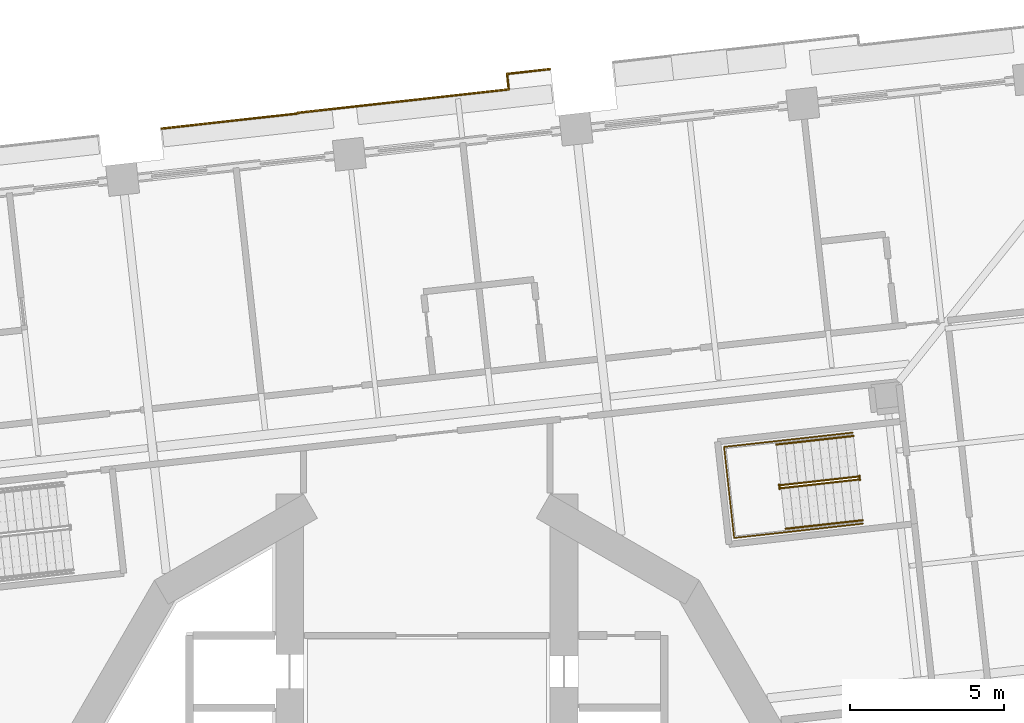
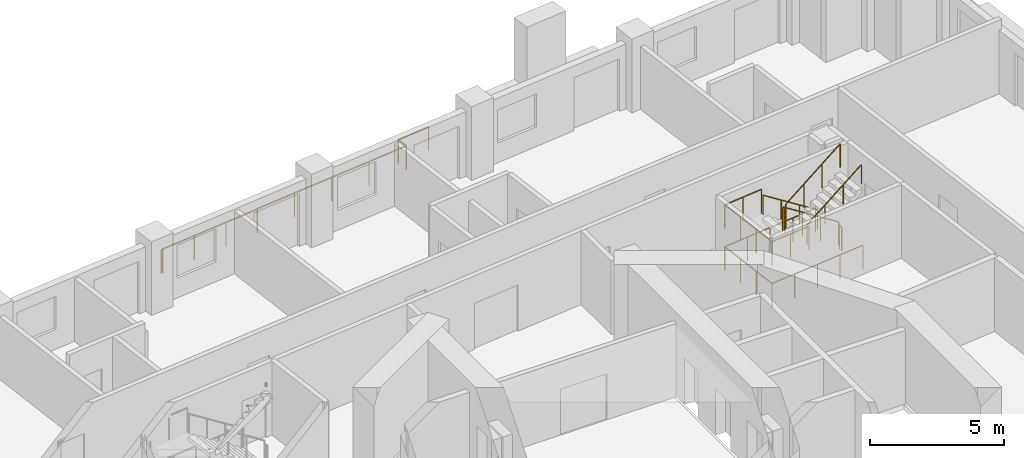
# One storey, part 19 of 21: 8 railings.
"""IFC4 building model written with IfcOpenShell, lengths in metres."""

import ifcopenshell
import ifcopenshell.guid

model = None  # the IFC model being written
_history = None  # IfcOwnerHistory: only IFC2X3 demands one
_inside = {}  # id of a spatial element -> (the spatial element, [elements in it])
_under = {}  # id of a project, library or spatial element -> (it, [spatial elements below it])
_declared = {}  # id of a project -> (the project, [libraries it declares])
_typed = {}  # id of a type object -> (the type object, [elements of that type])
_made_of = {}  # id of a material, layer set ... -> (it, [elements and type objects made of it])


def new_model(schema):
    """Start an empty IFC model of exactly this schema.

    Asked for "IFC4X3", IfcOpenShell would pick the latest addendum, in which some entities
    have other attributes; the version numbers below select the first issue.
    IFC2X3 requires an IfcOwnerHistory on every rooted entity: one is made here for all.
    """
    global model, _history
    if schema == "IFC4X3":
        model = ifcopenshell.file(schema_version=(4, 3, 0, 0))
    else:
        model = ifcopenshell.file(schema=schema)
    _inside.clear()
    _under.clear()
    _declared.clear()
    _typed.clear()
    _made_of.clear()
    _history = None
    if model.schema == "IFC2X3":
        org = make("IfcOrganization", Name="unknown")
        user = make(
            "IfcPersonAndOrganization",
            ThePerson=make("IfcPerson", FamilyName="unknown"),
            TheOrganization=org,
        )
        app = make(
            "IfcApplication",
            ApplicationDeveloper=org,
            Version="unknown",
            ApplicationFullName="unknown",
            ApplicationIdentifier="unknown",
        )
        _history = make(
            "IfcOwnerHistory",
            OwningUser=user,
            OwningApplication=app,
            ChangeAction="ADDED",
            CreationDate=0,
        )
    return model


def make(cls, **values):
    """One entity of the class cls with the attributes given. An attribute that is None is left unset."""
    return model.create_entity(
        cls, **{name: value for name, value in values.items() if value is not None}
    )


def rooted(cls, **values):
    """An entity with a GlobalId (a new one), such as an element, a storey or a relation."""
    return make(cls, GlobalId=ifcopenshell.guid.new(), OwnerHistory=_history, **values)


def si_unit(unit_type, name, prefix=None):
    """IfcSIUnit, for example si_unit("LENGTHUNIT", "METRE", prefix="MILLI")."""
    return make("IfcSIUnit", UnitType=unit_type, Prefix=prefix, Name=name)


def assignment(units):
    """IfcUnitAssignment: the units of a project."""
    return None if units is None else make("IfcUnitAssignment", Units=units)


def point(xyz):
    """IfcCartesianPoint."""
    return None if xyz is None else make("IfcCartesianPoint", Coordinates=xyz)


def direction(xyz):
    """IfcDirection."""
    return None if xyz is None else make("IfcDirection", DirectionRatios=xyz)


def frame(location, z_axis=None, x_axis=None):
    """IfcAxis2Placement3D, a coordinate frame: its origin and axes. An axis left out is left unset."""
    return make(
        "IfcAxis2Placement3D",
        Location=point(location),
        Axis=direction(z_axis),
        RefDirection=direction(x_axis),
    )


def frame_2d(location, x_axis=None):
    """IfcAxis2Placement2D, a coordinate frame in the plane: its origin and x axis."""
    return make(
        "IfcAxis2Placement2D", Location=point(location), RefDirection=direction(x_axis)
    )


def origin():
    """The frame at (0, 0, 0) with its axes left unset."""
    return frame((0.0, 0.0, 0.0))


def origin_2d():
    """The frame at (0, 0) in the plane with its x axis left unset."""
    return frame_2d((0.0, 0.0))


def place(relative_to, where):
    """IfcLocalPlacement: puts the frame where relative to a parent placement (None: the world)."""
    return make(
        "IfcLocalPlacement", PlacementRelTo=relative_to, RelativePlacement=where
    )


def context(
    kind, dimensions, precision=None, world=None, true_north=None, identifier=None
):
    """IfcGeometricRepresentationContext, for example the 3D "Model" context."""
    return make(
        "IfcGeometricRepresentationContext",
        ContextIdentifier=identifier,
        ContextType=kind,
        CoordinateSpaceDimension=dimensions,
        Precision=precision,
        WorldCoordinateSystem=world,
        TrueNorth=true_north,
    )


def subcontext(parent, identifier, kind, view, scale=None):
    """IfcGeometricRepresentationSubContext, for example "Body" below "Model"."""
    return make(
        "IfcGeometricRepresentationSubContext",
        ContextIdentifier=identifier,
        ContextType=kind,
        ParentContext=parent,
        TargetScale=scale,
        TargetView=view,
    )


def project(units=None, contexts=None):
    """IfcProject with its units and contexts."""
    return rooted(
        "IfcProject",
        Name="project",
        RepresentationContexts=contexts,
        UnitsInContext=assignment(units),
    )


def spatial(cls, under=None, at=None, **own):
    """A site, building, storey or space (cls), placed at a placement, below another one or the project."""
    s = rooted(cls, ObjectPlacement=at, **own)
    if under is not None:
        _under.setdefault(under.id(), (under, []))[1].append(s)
    return s


def profile(cls, at=None, kind="AREA", **sizes):
    """A parametric profile (cls). Its sizes go by their IFC names, for example OverallWidth=200.0."""
    return make(cls, ProfileType=kind, Position=at, **sizes)


def circle(**sizes):
    """IfcCircleProfileDef."""
    return profile("IfcCircleProfileDef", **sizes)


def extrude(swept, where, along, depth):
    """IfcExtrudedAreaSolid: the profile swept, set in the frame where, extruded along a direction by depth."""
    return make(
        "IfcExtrudedAreaSolid",
        SweptArea=swept,
        Position=where,
        ExtrudedDirection=direction(along),
        Depth=depth,
    )


def shape(context_of_items, identifier, shape_type, items):
    """IfcShapeRepresentation: the items that make up one representation, for example the "Body"."""
    return make(
        "IfcShapeRepresentation",
        ContextOfItems=context_of_items,
        RepresentationIdentifier=identifier,
        RepresentationType=shape_type,
        Items=items,
    )


def material(Name=None, Category=None):
    """IfcMaterial."""
    return make("IfcMaterial", Name=Name, Category=Category)


def made_of(thing, what):
    """Note that an element or type object is made of a material, layer set ...; save() writes the relation."""
    if what is not None:
        _made_of.setdefault(what.id(), (what, []))[1].append(thing)
    return thing


def type_object(cls, material=None, **own):
    """A type object (cls), such as IfcWallType, which elements share."""
    return made_of(rooted(cls, **own), material)


def element(
    cls,
    number,
    at=None,
    inside=None,
    cuts=None,
    type_object=None,
    material=None,
    context=None,
    identifier="Body",
    shape_type=None,
    held_by="IfcProductDefinitionShape",
    body=None,
    shapes=None,
    **own,
):
    """One element of the class cls, such as IfcWall. Its Tag is "e" and its number.

    at: its placement. inside: the storey or other place that contains it. cuts: it is an
    opening in that element (IfcRelVoidsElement). A single representation is given by context,
    identifier, shape_type and body (its items); several are given by shapes. held_by: the class
    of the entity that holds the representations. save() writes the other relations.
    """
    e = rooted(cls, Tag="e%d" % number, ObjectPlacement=at, **own)
    if body is not None:
        shapes = [shape(context, identifier, shape_type, body)]
    if shapes is not None:
        e.Representation = make(held_by, Representations=shapes)
    if inside is not None:
        _inside.setdefault(inside.id(), (inside, []))[1].append(e)
    if cuts is not None:
        rooted(
            "IfcRelVoidsElement", RelatingBuildingElement=cuts, RelatedOpeningElement=e
        )
    if type_object is not None:
        _typed.setdefault(type_object.id(), (type_object, []))[1].append(e)
    return made_of(e, material)


def aggregate(whole, parts):
    """IfcRelAggregates: a whole, such as a stair, and the parts it consists of."""
    return rooted("IfcRelAggregates", RelatingObject=whole, RelatedObjects=parts)


def save(model, path):
    """Write the relations noted so far, then the file.

    IfcRelAggregates (storeys below a building ...), IfcRelContainedInSpatialStructure (elements
    in a storey), IfcRelDefinesByType, IfcRelAssociatesMaterial and IfcRelDeclares: one each for
    every whole, place, type object, material and project.
    """
    for whole, parts in _under.values():
        aggregate(whole, parts)
    for where, things in _inside.values():
        rooted(
            "IfcRelContainedInSpatialStructure",
            RelatedElements=things,
            RelatingStructure=where,
        )
    for kind, things in _typed.values():
        rooted("IfcRelDefinesByType", RelatedObjects=things, RelatingType=kind)
    for what, things in _made_of.values():
        rooted("IfcRelAssociatesMaterial", RelatedObjects=things, RelatingMaterial=what)
    for by, libraries in _declared.values():
        rooted("IfcRelDeclares", RelatingContext=by, RelatedDefinitions=libraries)
    model.write(path)


model = new_model("IFC4")

# Units and contexts
model_context = context("Model", 3, precision=1e-05, world=origin(), true_north=direction((0.0, 1.0)))
body_context = subcontext(model_context, "Body", "Model", "MODEL_VIEW")
ifc_project = project(units=[si_unit("LENGTHUNIT", "METRE"), si_unit("AREAUNIT", "SQUARE_METRE"), si_unit("VOLUMEUNIT", "CUBIC_METRE"), si_unit("PLANEANGLEUNIT", "RADIAN"), si_unit("MASSUNIT", "GRAM", prefix="KILO")], contexts=[model_context])

# Site, building, storey
site_placement = place(None, origin())
site = spatial("IfcSite", under=ifc_project, at=site_placement, CompositionType="ELEMENT")
building_placement = place(site_placement, origin())
building = spatial("IfcBuilding", under=site, at=building_placement, Name="Cantera Rosa Tower", CompositionType="ELEMENT")
storey_placement = place(building_placement, frame((0.0, 0.0, 80.5)))
storey = spatial("IfcBuildingStorey", under=building, at=storey_placement, Name="L17", CompositionType="ELEMENT", Elevation=80.5)

# Railings
ifc_material_1 = material(Name="Stainless steel and laminated glass", Category="steel")
railing_type_1 = type_object("IfcRailingType", Name="GUARD 1100", PredefinedType="BALUSTRADE", material=ifc_material_1)
railing_1_placement = place(storey_placement, frame((-8.6142578125, 23.4931640625, 0.0)))
element("IfcRailing", 1, at=railing_1_placement, inside=storey, type_object=railing_type_1, Name="GUARD L17-6", PredefinedType="BALUSTRADE", context=body_context, shape_type="SweptSolid", body=[
    extrude(circle(Radius=0.030029296875, at=origin_2d()), frame((0.0, 0.0, 1.070068359375), z_axis=(0.994136314057, 0.108134125389, 0.0), x_axis=(-0.108134125389, 0.994136314057, 0.0)), (0.0, 0.0, 1.0), 0.070068359375),
    extrude(circle(Radius=0.030029296875, at=origin_2d()), frame((0.069580078125, 0.007568359375, 1.070068359375), z_axis=(0.993893250705, 0.110345848143, 0.0), x_axis=(-0.110345848143, 0.993893250705, 0.0)), (0.0, 0.0, 1.0), 4.378662109375),
    extrude(circle(Radius=0.030029296875, at=origin_2d()), frame((4.42138671875, 0.49072265625, 1.070068359375), z_axis=(-0.102899151086, 0.994691793827, 0.0), x_axis=(-0.994691793827, -0.102899151086, 0.0)), (0.0, 0.0, 1.0), 0.021240234375),
    extrude(circle(Radius=0.030029296875, at=origin_2d()), frame((4.419189453125, 0.511962890625, 1.070068359375), z_axis=(0.993895391103, 0.110326567717, 0.0), x_axis=(-0.110326567717, 0.993895391103, 0.0)), (0.0, 0.0, 1.0), 6.89306640625),
    extrude(circle(Radius=0.030029296875, at=origin_2d()), frame((11.270263671875, 1.2724609375, 1.070068359375), z_axis=(-0.110325770637, 0.993895479582, 0.0), x_axis=(-0.993895479582, -0.110325770637, 0.0)), (0.0, 0.0, 1.0), 0.5068359375),
    extrude(circle(Radius=0.030029296875, at=origin_2d()), frame((11.21435546875, 1.776123046875, 1.070068359375), z_axis=(0.993892249382, 0.110354866762, 0.0), x_axis=(-0.110354866762, 0.993892249382, 0.0)), (0.0, 0.0, 1.0), 1.398193359375),
    extrude(circle(Radius=0.02490234375, at=origin_2d()), origin(), (0.0, 0.0, 1.0), 1.0400390625),
    extrude(circle(Radius=0.02490234375, at=origin_2d()), frame((0.069580078125, 0.007568359375, 0.0)), (0.0, 0.0, 1.0), 1.0400390625),
    extrude(circle(Radius=0.02490234375, at=origin_2d()), frame((1.520263671875, 0.168701171875, 0.0)), (0.0, 0.0, 1.0), 1.0400390625),
    extrude(circle(Radius=0.02490234375, at=origin_2d()), frame((2.970703125, 0.32958984375, 0.0)), (0.0, 0.0, 1.0), 1.0400390625),
    extrude(circle(Radius=0.02490234375, at=origin_2d()), frame((4.42138671875, 0.49072265625, 0.0)), (0.0, 0.0, 1.0), 1.0400390625),
    extrude(circle(Radius=0.02490234375, at=origin_2d()), frame((4.419189453125, 0.511962890625, 0.0)), (0.0, 0.0, 1.0), 1.0400390625),
    extrude(circle(Radius=0.02490234375, at=origin_2d()), frame((6.1318359375, 0.7021484375, 0.0)), (0.0, 0.0, 1.0), 1.0400390625),
    extrude(circle(Radius=0.02490234375, at=origin_2d()), frame((7.8447265625, 0.89208984375, 0.0)), (0.0, 0.0, 1.0), 1.0400390625),
    extrude(circle(Radius=0.02490234375, at=origin_2d()), frame((9.5576171875, 1.082275390625, 0.0)), (0.0, 0.0, 1.0), 1.0400390625),
    extrude(circle(Radius=0.02490234375, at=origin_2d()), frame((11.270263671875, 1.2724609375, 0.0)), (0.0, 0.0, 1.0), 1.0400390625),
    extrude(circle(Radius=0.02490234375, at=origin_2d()), frame((11.21435546875, 1.776123046875, 0.0)), (0.0, 0.0, 1.0), 1.0400390625),
    extrude(circle(Radius=0.02490234375, at=origin_2d()), frame((12.60400390625, 1.930419921875, 0.0)), (0.0, 0.0, 1.0), 1.0400390625),
])
ifc_material_2 = material(Name="Steel S355J2 (EN 10025-2)", Category="steel")
railing_type_2 = type_object("IfcRailingType", Name="STAIR GUARD 1100", PredefinedType="GUARDRAIL", material=ifc_material_2)
railing_2_placement = place(storey_placement, frame((13.986083984375, 12.203125, 0.18994140625)))
element("IfcRailing", 2, at=railing_2_placement, inside=storey, type_object=railing_type_2, Name="L17 ST-11 stair guard 1", PredefinedType="GUARDRAIL", context=body_context, shape_type="SweptSolid", body=[
    extrude(circle(Radius=0.02392578125, at=origin_2d()), frame((0.0, 0.0, 1.076171875), z_axis=(-0.822431337597, -0.091310000343, 0.561488360321), x_axis=(0.110346460196, -0.993893182753, 0.0)), (0.0, 0.0, 1.0), 3.04541015625),
    extrude(circle(Radius=0.02392578125, at=origin_2d()), frame((-2.504638671875, -0.278076171875, 2.7861328125), z_axis=(-0.931434406233, 0.363909256389, 0.0), x_axis=(-0.363909256389, -0.931434406233, 0.0)), (0.0, 0.0, 1.0), 0.056396484375),
    extrude(circle(Radius=0.02392578125, at=origin_2d()), frame((-2.55712890625, -0.257568359375, 2.7861328125), z_axis=(0.1090029065, -0.994041430915, 0.0), x_axis=(0.994041430915, 0.1090029065, 0.0)), (0.0, 0.0, 1.0), 0.150146484375),
    extrude(circle(Radius=0.02099609375, at=origin_2d()), origin(), (0.0, 0.0, 1.0), 1.052001953125),
    extrude(circle(Radius=0.02099609375, at=origin_2d()), frame((-0.8349609375, -0.0927734375, 0.570068359375)), (0.0, 0.0, 1.0), 1.052001953125),
    extrude(circle(Radius=0.02099609375, at=origin_2d()), frame((-1.669677734375, -0.185302734375, 1.139892578125)), (0.0, 0.0, 1.0), 1.052001953125),
    extrude(circle(Radius=0.02099609375, at=origin_2d()), frame((-2.504638671875, -0.278076171875, 1.7099609375)), (0.0, 0.0, 1.0), 1.052001953125),
    extrude(circle(Radius=0.02099609375, at=origin_2d()), frame((-2.55712890625, -0.257568359375, 1.7099609375)), (0.0, 0.0, 1.0), 1.052001953125),
    extrude(circle(Radius=0.02099609375, at=origin_2d()), frame((-2.540771484375, -0.40673828125, 1.7099609375)), (0.0, 0.0, 1.0), 1.052001953125),
])
railing_3_placement = place(storey_placement, frame((11.4921875, 11.82763671875, 2.090087890625)))
element("IfcRailing", 3, at=railing_3_placement, inside=storey, type_object=railing_type_2, Name="L17 ST-11 stair guard 2", PredefinedType="GUARDRAIL", context=body_context, shape_type="SweptSolid", body=[
    extrude(circle(Radius=0.02392578125, at=origin_2d()), frame((0.0, 0.0, 1.076171875), z_axis=(0.822431337597, 0.091310000343, 0.561488360321), x_axis=(-0.110346460196, 0.993893182753, 0.0)), (0.0, 0.0, 1.0), 3.04541015625),
    extrude(circle(Radius=0.02099609375, at=origin_2d()), origin(), (0.0, 0.0, 1.0), 1.052001953125),
    extrude(circle(Radius=0.02099609375, at=origin_2d()), frame((0.8349609375, 0.0927734375, 0.570068359375)), (0.0, 0.0, 1.0), 1.052001953125),
    extrude(circle(Radius=0.02099609375, at=origin_2d()), frame((1.669677734375, 0.185302734375, 1.139892578125)), (0.0, 0.0, 1.0), 1.052001953125),
    extrude(circle(Radius=0.02099609375, at=origin_2d()), frame((2.504638671875, 0.278076171875, 1.7099609375)), (0.0, 0.0, 1.0), 1.052001953125),
])
railing_4_placement = place(storey_placement, frame((14.032958984375, 12.234375, 0.0)))
element("IfcRailing", 4, at=railing_4_placement, inside=storey, type_object=railing_type_2, Name="L17 ST-11 stair guard 3", PredefinedType="GUARDRAIL", context=body_context, shape_type="SweptSolid", body=[
    extrude(circle(Radius=0.02392578125, at=origin_2d()), frame((0.0, 0.0, 1.076171875), z_axis=(0.109179471459, -0.994022053584, 0.0), x_axis=(0.994022053584, 0.109179471459, 0.0)), (0.0, 0.0, 1.0), 0.14990234375),
    extrude(circle(Radius=0.02099609375, at=origin_2d()), origin(), (0.0, 0.0, 1.0), 1.052001953125),
    extrude(circle(Radius=0.02099609375, at=origin_2d()), frame((0.016357421875, -0.14892578125, 0.0)), (0.0, 0.0, 1.0), 1.052001953125),
])
railing_5_placement = place(storey_placement, frame((13.815673828125, 13.629150390625, 0.0)))
element("IfcRailing", 5, at=railing_5_placement, inside=storey, type_object=railing_type_2, Name="L17 ST-11 stair guard 4", PredefinedType="GUARDRAIL", context=body_context, shape_type="SweptSolid", body=[
    extrude(circle(Radius=0.02392578125, at=origin_2d()), frame((0.0, 0.0, 1.076171875), z_axis=(-0.9938957856, -0.110323013767, 0.0), x_axis=(0.110323013767, -0.9938957856, 0.0)), (0.0, 0.0, 1.0), 4.197998046875),
    extrude(circle(Radius=0.02392578125, at=origin_2d()), frame((-4.17236328125, -0.463134765625, 1.076171875), z_axis=(0.110314237986, -0.993896759678, 0.0), x_axis=(0.993896759678, 0.110314237986, 0.0)), (0.0, 0.0, 1.0), 2.969970703125),
    extrude(circle(Radius=0.02392578125, at=origin_2d()), frame((-3.8447265625, -3.4150390625, 1.076171875), z_axis=(0.9938957856, 0.110323013767, 0.0), x_axis=(-0.110323013767, 0.9938957856, 0.0)), (0.0, 0.0, 1.0), 4.197998046875),
    extrude(circle(Radius=0.02099609375, at=origin_2d()), origin(), (0.0, 0.0, 1.0), 1.052001953125),
    extrude(circle(Radius=0.02099609375, at=origin_2d()), frame((-1.04296875, -0.11572265625, 0.0)), (0.0, 0.0, 1.0), 1.052001953125),
    extrude(circle(Radius=0.02099609375, at=origin_2d()), frame((-2.086181640625, -0.2314453125, 0.0)), (0.0, 0.0, 1.0), 1.052001953125),
    extrude(circle(Radius=0.02099609375, at=origin_2d()), frame((-3.12939453125, -0.347412109375, 0.0)), (0.0, 0.0, 1.0), 1.052001953125),
    extrude(circle(Radius=0.02099609375, at=origin_2d()), frame((-4.17236328125, -0.463134765625, 0.0)), (0.0, 0.0, 1.0), 1.052001953125),
    extrude(circle(Radius=0.02099609375, at=origin_2d()), frame((-4.063232421875, -1.447021484375, 0.0)), (0.0, 0.0, 1.0), 1.052001953125),
    extrude(circle(Radius=0.02099609375, at=origin_2d()), frame((-3.953857421875, -2.43115234375, 0.0)), (0.0, 0.0, 1.0), 1.052001953125),
    extrude(circle(Radius=0.02099609375, at=origin_2d()), frame((-3.8447265625, -3.4150390625, 0.0)), (0.0, 0.0, 1.0), 1.052001953125),
    extrude(circle(Radius=0.02099609375, at=origin_2d()), frame((-2.8017578125, -3.29931640625, 0.0)), (0.0, 0.0, 1.0), 1.052001953125),
    extrude(circle(Radius=0.02099609375, at=origin_2d()), frame((-1.758544921875, -3.18359375, 0.0)), (0.0, 0.0, 1.0), 1.052001953125),
    extrude(circle(Radius=0.02099609375, at=origin_2d()), frame((-0.71533203125, -3.067626953125, 0.0)), (0.0, 0.0, 1.0), 1.052001953125),
    extrude(circle(Radius=0.02099609375, at=origin_2d()), frame((0.32763671875, -2.951904296875, 0.0)), (0.0, 0.0, 1.0), 1.052001953125),
])
railing_6_placement = place(storey_placement, frame((11.3349609375, 13.353759765625, 1.89990234375)))
element("IfcRailing", 6, at=railing_6_placement, inside=storey, type_object=railing_type_2, Name="L17 ST-11 stair guard 5", PredefinedType="GUARDRAIL", context=body_context, shape_type="SweptSolid", body=[
    extrude(circle(Radius=0.02392578125, at=origin_2d()), frame((0.0, 0.0, 1.076171875), z_axis=(-0.993897720867, -0.110305577623, 0.0), x_axis=(0.110305577623, -0.993897720867, 0.0)), (0.0, 0.0, 1.0), 1.7021484375),
    extrude(circle(Radius=0.02392578125, at=origin_2d()), frame((-1.691650390625, -0.187744140625, 1.076171875), z_axis=(0.110314237986, -0.993896759678, 0.0), x_axis=(0.993896759678, 0.110314237986, 0.0)), (0.0, 0.0, 1.0), 2.969970703125),
    extrude(circle(Radius=0.02392578125, at=origin_2d()), frame((-1.364013671875, -3.1396484375, 1.076171875), z_axis=(0.993897720867, 0.110305577623, 0.0), x_axis=(-0.110305577623, 0.993897720867, 0.0)), (0.0, 0.0, 1.0), 1.7021484375),
    extrude(circle(Radius=0.02099609375, at=origin_2d()), origin(), (0.0, 0.0, 1.0), 1.052001953125),
    extrude(circle(Radius=0.02099609375, at=origin_2d()), frame((-0.845703125, -0.09375, 0.0)), (0.0, 0.0, 1.0), 1.052001953125),
    extrude(circle(Radius=0.02099609375, at=origin_2d()), frame((-1.691650390625, -0.187744140625, 0.0)), (0.0, 0.0, 1.0), 1.052001953125),
    extrude(circle(Radius=0.02099609375, at=origin_2d()), frame((-1.58251953125, -1.171630859375, 0.0)), (0.0, 0.0, 1.0), 1.052001953125),
    extrude(circle(Radius=0.02099609375, at=origin_2d()), frame((-1.47314453125, -2.15576171875, 0.0)), (0.0, 0.0, 1.0), 1.052001953125),
    extrude(circle(Radius=0.02099609375, at=origin_2d()), frame((-1.364013671875, -3.1396484375, 0.0)), (0.0, 0.0, 1.0), 1.052001953125),
    extrude(circle(Radius=0.02099609375, at=origin_2d()), frame((-0.51806640625, -3.0458984375, 0.0)), (0.0, 0.0, 1.0), 1.052001953125),
    extrude(circle(Radius=0.02099609375, at=origin_2d()), frame((0.32763671875, -2.951904296875, 0.0)), (0.0, 0.0, 1.0), 1.052001953125),
])
ifc_material_3 = material(Name="Steel S355J2 (EN 10025-2)", Category="steel")
railing_type_3 = type_object("IfcRailingType", Name="STAIR HANDRAIL 900", PredefinedType="HANDRAIL", material=ifc_material_3)
railing_7_placement = place(storey_placement, frame((13.83984375, 13.52099609375, 0.18994140625)))
element("IfcRailing", 7, at=railing_7_placement, inside=storey, type_object=railing_type_3, Name="L17 ST-11 stair handrail 1", PredefinedType="HANDRAIL", context=body_context, shape_type="SweptSolid", body=[
    extrude(circle(Radius=0.02392578125, at=origin_2d()), frame((0.0, 0.0, 0.8759765625), z_axis=(-0.822437355244, -0.09123050105, 0.561492468674), x_axis=(0.110250758185, -0.993903803353, 0.0)), (0.0, 0.0, 1.0), 3.04541015625),
    extrude(circle(Radius=0.02099609375, at=origin_2d()), origin(), (0.0, 0.0, 1.0), 0.851806640625),
    extrude(circle(Radius=0.02099609375, at=origin_2d()), frame((-0.8349609375, -0.092529296875, 0.570068359375)), (0.0, 0.0, 1.0), 0.851806640625),
    extrude(circle(Radius=0.02099609375, at=origin_2d()), frame((-1.669677734375, -0.185302734375, 1.139892578125)), (0.0, 0.0, 1.0), 0.851806640625),
    extrude(circle(Radius=0.02099609375, at=origin_2d()), frame((-2.504638671875, -0.27783203125, 1.7099609375)), (0.0, 0.0, 1.0), 0.851806640625),
])
railing_8_placement = place(storey_placement, frame((11.638427734375, 10.509765625, 2.090087890625)))
element("IfcRailing", 8, at=railing_8_placement, inside=storey, type_object=railing_type_3, Name="L17 ST-11 stair handrail 2", PredefinedType="HANDRAIL", context=body_context, shape_type="SweptSolid", body=[
    extrude(circle(Radius=0.02392578125, at=origin_2d()), frame((0.0, 0.0, 0.8759765625), z_axis=(0.822431337597, 0.091310000343, 0.561488360321), x_axis=(-0.110346460196, 0.993893182753, 0.0)), (0.0, 0.0, 1.0), 3.04541015625),
    extrude(circle(Radius=0.02099609375, at=origin_2d()), origin(), (0.0, 0.0, 1.0), 0.851806640625),
    extrude(circle(Radius=0.02099609375, at=origin_2d()), frame((0.8349609375, 0.0927734375, 0.570068359375)), (0.0, 0.0, 1.0), 0.851806640625),
    extrude(circle(Radius=0.02099609375, at=origin_2d()), frame((1.669677734375, 0.185302734375, 1.139892578125)), (0.0, 0.0, 1.0), 0.851806640625),
    extrude(circle(Radius=0.02099609375, at=origin_2d()), frame((2.504638671875, 0.278076171875, 1.7099609375)), (0.0, 0.0, 1.0), 0.851806640625),
])

save(model, "model.ifc")
